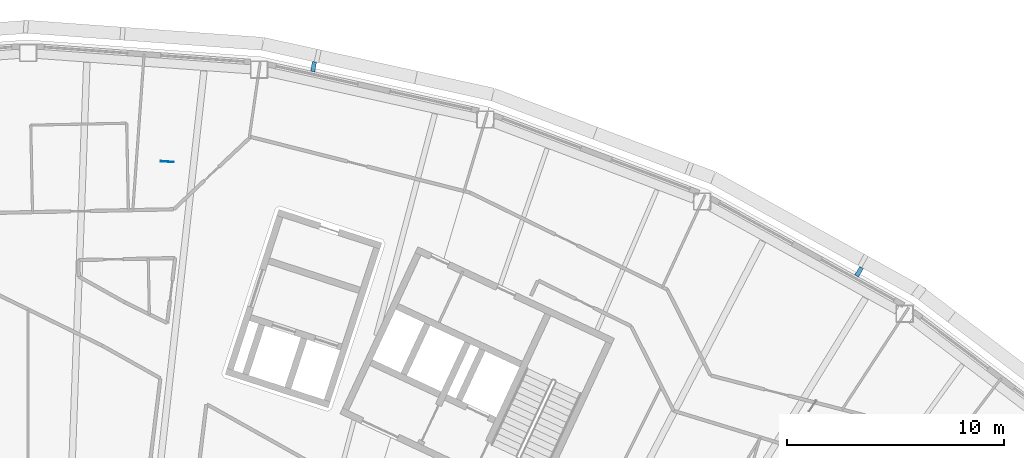
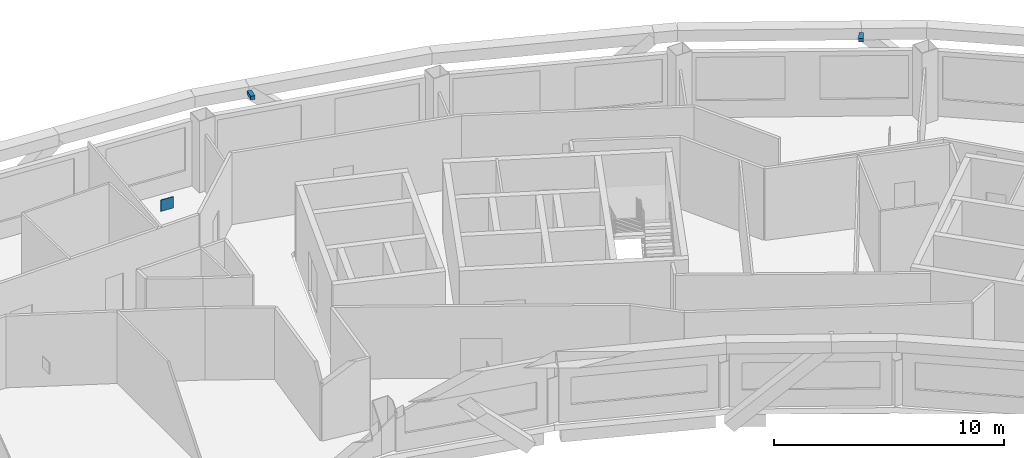
# One storey, part 17 of 21: 3 discrete accessories.
"""IFC4 building model written with IfcOpenShell, lengths in metres."""

from ifc_helpers import new_model, si_unit, direction, frame, origin, origin_2d, place, context, subcontext, project, spatial, rectangle, extrude, material, type_object, element, save


model = new_model("IFC4")

# Units and contexts
model_context = context("Model", 3, precision=1e-05, world=origin(), true_north=direction((0.0, 1.0)))
body_context = subcontext(model_context, "Body", "Model", "MODEL_VIEW")
ifc_project = project(units=[si_unit("LENGTHUNIT", "METRE"), si_unit("AREAUNIT", "SQUARE_METRE"), si_unit("VOLUMEUNIT", "CUBIC_METRE"), si_unit("PLANEANGLEUNIT", "RADIAN"), si_unit("MASSUNIT", "GRAM", prefix="KILO")], contexts=[model_context])

# Site, building, storey
site_placement = place(None, origin())
site = spatial("IfcSite", under=ifc_project, at=site_placement, CompositionType="ELEMENT")
building_placement = place(site_placement, origin())
building = spatial("IfcBuilding", under=site, at=building_placement, Name="Tuul Gate Civic Tower", CompositionType="ELEMENT")
storey_placement = place(building_placement, frame((0.0, 0.0, 273.60009765625)))
storey = spatial("IfcBuildingStorey", under=building, at=storey_placement, Name="Level 62", CompositionType="ELEMENT", Elevation=273.60009765625)

# Discrete accessories
ifc_material_1 = material(Name="Steel S355", Category="steel")
discrete_accessory_type_1 = type_object("IfcDiscreteAccessoryType", Name="Gusset plate", PredefinedType="BRACKET", material=ifc_material_1)
discrete_accessory_placement = place(storey_placement, frame((17.43798828125, 8.460205078125, 2.796875), z_axis=(0.0, 0.0, 1.0), x_axis=(-0.997383034413, 0.072298566141, 0.0)))
element("IfcDiscreteAccessory", 1, at=discrete_accessory_placement, inside=storey, type_object=discrete_accessory_type_1, Name="Gusset plate", PredefinedType="BRACKET", context=body_context, shape_type="SweptSolid", body=[
    extrude(rectangle(XDim=0.60009765625, YDim=0.030029296875, at=origin_2d()), origin(), (0.0, 0.0, 1.0), 0.60009765625),
])
ifc_material_2 = material(Name="Stainless steel", Category="steel")
discrete_accessory_type_2 = type_object("IfcDiscreteAccessoryType", Name="Screen bracket", PredefinedType="BRACKET", material=ifc_material_2)
for number, where, z_axis, x_axis, name in (
    (2, (49.32958984375, 3.38916015625, 3.75), (0.0, 0.0, 1.0), (0.514574227406, 0.857445837642, 0.0), "Screen bracket 5"),
    (3, (24.1904296875, 12.840576171875, 3.75), (0.0, 0.0, 1.0), (0.176789280139, 0.984248723864, 0.0), "Screen bracket 8"),
):
    element("IfcDiscreteAccessory", number, at=place(storey_placement, frame(where, z_axis=z_axis, x_axis=x_axis)), inside=storey, type_object=discrete_accessory_type_2, Name=name, PredefinedType="BRACKET", context=body_context, shape_type="SweptSolid", body=[
        extrude(rectangle(XDim=0.4501953125, YDim=0.199951171875, at=origin_2d()), origin(), (0.0, 0.0, 1.0), 0.199951171875),
    ])

save(model, "model.ifc")
